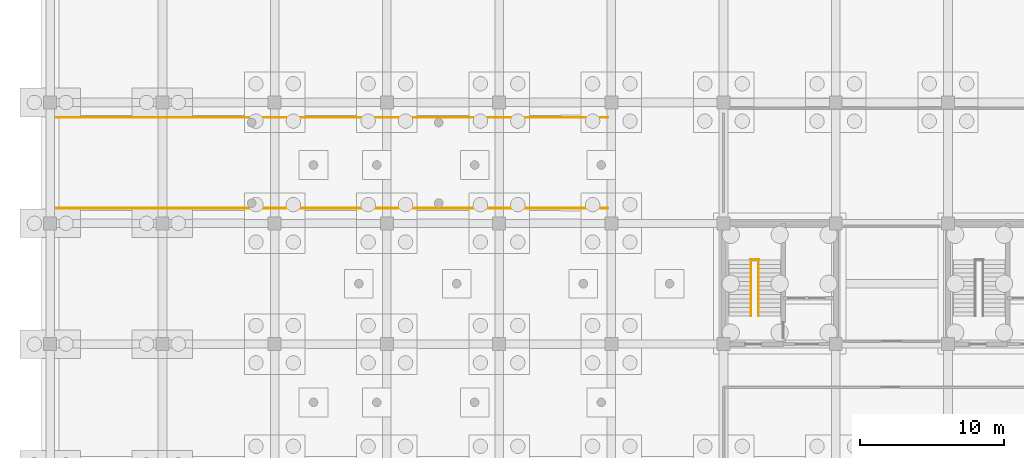
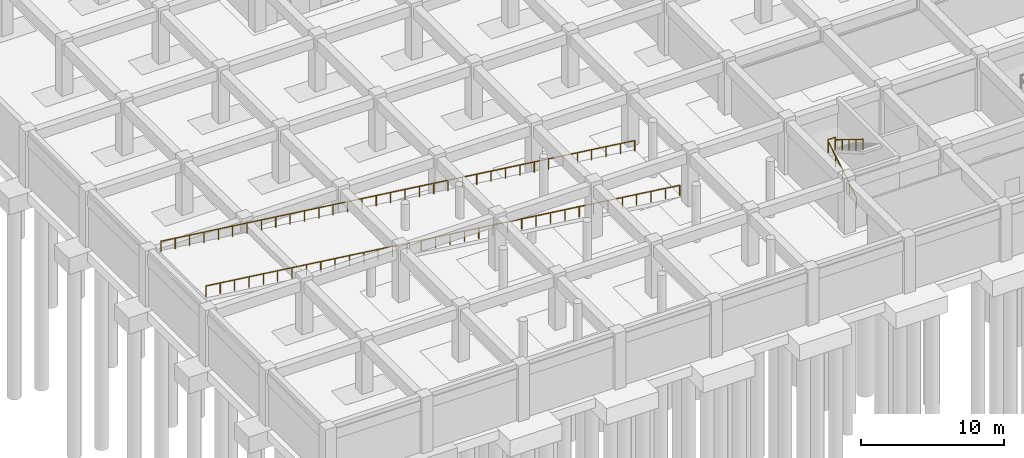
# One storey, part 27 of 31: 5 railings.
"""IFC4 building model written with IfcOpenShell, lengths in metres."""

import ifcopenshell
import ifcopenshell.guid

model = None  # the IFC model being written
_history = None  # IfcOwnerHistory: only IFC2X3 demands one
_inside = {}  # id of a spatial element -> (the spatial element, [elements in it])
_under = {}  # id of a project, library or spatial element -> (it, [spatial elements below it])
_declared = {}  # id of a project -> (the project, [libraries it declares])
_typed = {}  # id of a type object -> (the type object, [elements of that type])
_made_of = {}  # id of a material, layer set ... -> (it, [elements and type objects made of it])


def new_model(schema):
    """Start an empty IFC model of exactly this schema.

    Asked for "IFC4X3", IfcOpenShell would pick the latest addendum, in which some entities
    have other attributes; the version numbers below select the first issue.
    IFC2X3 requires an IfcOwnerHistory on every rooted entity: one is made here for all.
    """
    global model, _history
    if schema == "IFC4X3":
        model = ifcopenshell.file(schema_version=(4, 3, 0, 0))
    else:
        model = ifcopenshell.file(schema=schema)
    _inside.clear()
    _under.clear()
    _declared.clear()
    _typed.clear()
    _made_of.clear()
    _history = None
    if model.schema == "IFC2X3":
        org = make("IfcOrganization", Name="unknown")
        user = make(
            "IfcPersonAndOrganization",
            ThePerson=make("IfcPerson", FamilyName="unknown"),
            TheOrganization=org,
        )
        app = make(
            "IfcApplication",
            ApplicationDeveloper=org,
            Version="unknown",
            ApplicationFullName="unknown",
            ApplicationIdentifier="unknown",
        )
        _history = make(
            "IfcOwnerHistory",
            OwningUser=user,
            OwningApplication=app,
            ChangeAction="ADDED",
            CreationDate=0,
        )
    return model


def make(cls, **values):
    """One entity of the class cls with the attributes given. An attribute that is None is left unset."""
    return model.create_entity(
        cls, **{name: value for name, value in values.items() if value is not None}
    )


def rooted(cls, **values):
    """An entity with a GlobalId (a new one), such as an element, a storey or a relation."""
    return make(cls, GlobalId=ifcopenshell.guid.new(), OwnerHistory=_history, **values)


def si_unit(unit_type, name, prefix=None):
    """IfcSIUnit, for example si_unit("LENGTHUNIT", "METRE", prefix="MILLI")."""
    return make("IfcSIUnit", UnitType=unit_type, Prefix=prefix, Name=name)


def assignment(units):
    """IfcUnitAssignment: the units of a project."""
    return None if units is None else make("IfcUnitAssignment", Units=units)


def point(xyz):
    """IfcCartesianPoint."""
    return None if xyz is None else make("IfcCartesianPoint", Coordinates=xyz)


def direction(xyz):
    """IfcDirection."""
    return None if xyz is None else make("IfcDirection", DirectionRatios=xyz)


def frame(location, z_axis=None, x_axis=None):
    """IfcAxis2Placement3D, a coordinate frame: its origin and axes. An axis left out is left unset."""
    return make(
        "IfcAxis2Placement3D",
        Location=point(location),
        Axis=direction(z_axis),
        RefDirection=direction(x_axis),
    )


def frame_2d(location, x_axis=None):
    """IfcAxis2Placement2D, a coordinate frame in the plane: its origin and x axis."""
    return make(
        "IfcAxis2Placement2D", Location=point(location), RefDirection=direction(x_axis)
    )


def origin():
    """The frame at (0, 0, 0) with its axes left unset."""
    return frame((0.0, 0.0, 0.0))


def origin_2d():
    """The frame at (0, 0) in the plane with its x axis left unset."""
    return frame_2d((0.0, 0.0))


def place(relative_to, where):
    """IfcLocalPlacement: puts the frame where relative to a parent placement (None: the world)."""
    return make(
        "IfcLocalPlacement", PlacementRelTo=relative_to, RelativePlacement=where
    )


def context(
    kind, dimensions, precision=None, world=None, true_north=None, identifier=None
):
    """IfcGeometricRepresentationContext, for example the 3D "Model" context."""
    return make(
        "IfcGeometricRepresentationContext",
        ContextIdentifier=identifier,
        ContextType=kind,
        CoordinateSpaceDimension=dimensions,
        Precision=precision,
        WorldCoordinateSystem=world,
        TrueNorth=true_north,
    )


def subcontext(parent, identifier, kind, view, scale=None):
    """IfcGeometricRepresentationSubContext, for example "Body" below "Model"."""
    return make(
        "IfcGeometricRepresentationSubContext",
        ContextIdentifier=identifier,
        ContextType=kind,
        ParentContext=parent,
        TargetScale=scale,
        TargetView=view,
    )


def project(units=None, contexts=None):
    """IfcProject with its units and contexts."""
    return rooted(
        "IfcProject",
        Name="project",
        RepresentationContexts=contexts,
        UnitsInContext=assignment(units),
    )


def spatial(cls, under=None, at=None, **own):
    """A site, building, storey or space (cls), placed at a placement, below another one or the project."""
    s = rooted(cls, ObjectPlacement=at, **own)
    if under is not None:
        _under.setdefault(under.id(), (under, []))[1].append(s)
    return s


def profile(cls, at=None, kind="AREA", **sizes):
    """A parametric profile (cls). Its sizes go by their IFC names, for example OverallWidth=200.0."""
    return make(cls, ProfileType=kind, Position=at, **sizes)


def circle(**sizes):
    """IfcCircleProfileDef."""
    return profile("IfcCircleProfileDef", **sizes)


def hollow_circle(**sizes):
    """IfcCircleHollowProfileDef."""
    return profile("IfcCircleHollowProfileDef", **sizes)


def extrude(swept, where, along, depth):
    """IfcExtrudedAreaSolid: the profile swept, set in the frame where, extruded along a direction by depth."""
    return make(
        "IfcExtrudedAreaSolid",
        SweptArea=swept,
        Position=where,
        ExtrudedDirection=direction(along),
        Depth=depth,
    )


def shape(context_of_items, identifier, shape_type, items):
    """IfcShapeRepresentation: the items that make up one representation, for example the "Body"."""
    return make(
        "IfcShapeRepresentation",
        ContextOfItems=context_of_items,
        RepresentationIdentifier=identifier,
        RepresentationType=shape_type,
        Items=items,
    )


def material(Name=None, Category=None):
    """IfcMaterial."""
    return make("IfcMaterial", Name=Name, Category=Category)


def material_profile(
    of_material, cross_section, Name=None, Category=None, Priority=None
):
    """IfcMaterialProfile: a cross section and its material."""
    return make(
        "IfcMaterialProfile",
        Name=Name,
        Material=of_material,
        Profile=cross_section,
        Priority=Priority,
        Category=Category,
    )


def profile_set(profiles, Name=None, composite=None):
    """IfcMaterialProfileSet."""
    return make(
        "IfcMaterialProfileSet",
        Name=Name,
        MaterialProfiles=profiles,
        CompositeProfile=composite,
    )


def made_of(thing, what):
    """Note that an element or type object is made of a material, layer set ...; save() writes the relation."""
    if what is not None:
        _made_of.setdefault(what.id(), (what, []))[1].append(thing)
    return thing


def type_object(cls, material=None, **own):
    """A type object (cls), such as IfcWallType, which elements share."""
    return made_of(rooted(cls, **own), material)


def element(
    cls,
    number,
    at=None,
    inside=None,
    cuts=None,
    type_object=None,
    material=None,
    context=None,
    identifier="Body",
    shape_type=None,
    held_by="IfcProductDefinitionShape",
    body=None,
    shapes=None,
    **own,
):
    """One element of the class cls, such as IfcWall. Its Tag is "e" and its number.

    at: its placement. inside: the storey or other place that contains it. cuts: it is an
    opening in that element (IfcRelVoidsElement). A single representation is given by context,
    identifier, shape_type and body (its items); several are given by shapes. held_by: the class
    of the entity that holds the representations. save() writes the other relations.
    """
    e = rooted(cls, Tag="e%d" % number, ObjectPlacement=at, **own)
    if body is not None:
        shapes = [shape(context, identifier, shape_type, body)]
    if shapes is not None:
        e.Representation = make(held_by, Representations=shapes)
    if inside is not None:
        _inside.setdefault(inside.id(), (inside, []))[1].append(e)
    if cuts is not None:
        rooted(
            "IfcRelVoidsElement", RelatingBuildingElement=cuts, RelatedOpeningElement=e
        )
    if type_object is not None:
        _typed.setdefault(type_object.id(), (type_object, []))[1].append(e)
    return made_of(e, material)


def aggregate(whole, parts):
    """IfcRelAggregates: a whole, such as a stair, and the parts it consists of."""
    return rooted("IfcRelAggregates", RelatingObject=whole, RelatedObjects=parts)


def save(model, path):
    """Write the relations noted so far, then the file.

    IfcRelAggregates (storeys below a building ...), IfcRelContainedInSpatialStructure (elements
    in a storey), IfcRelDefinesByType, IfcRelAssociatesMaterial and IfcRelDeclares: one each for
    every whole, place, type object, material and project.
    """
    for whole, parts in _under.values():
        aggregate(whole, parts)
    for where, things in _inside.values():
        rooted(
            "IfcRelContainedInSpatialStructure",
            RelatedElements=things,
            RelatingStructure=where,
        )
    for kind, things in _typed.values():
        rooted("IfcRelDefinesByType", RelatedObjects=things, RelatingType=kind)
    for what, things in _made_of.values():
        rooted("IfcRelAssociatesMaterial", RelatedObjects=things, RelatingMaterial=what)
    for by, libraries in _declared.values():
        rooted("IfcRelDeclares", RelatingContext=by, RelatedDefinitions=libraries)
    model.write(path)


model = new_model("IFC4")

# Units and contexts
model_context = context("Model", 3, precision=1e-05, world=origin(), true_north=direction((0.0, 1.0)))
body_context = subcontext(model_context, "Body", "Model", "MODEL_VIEW")
ifc_project = project(units=[si_unit("LENGTHUNIT", "METRE"), si_unit("AREAUNIT", "SQUARE_METRE"), si_unit("VOLUMEUNIT", "CUBIC_METRE"), si_unit("PLANEANGLEUNIT", "RADIAN"), si_unit("MASSUNIT", "GRAM", prefix="KILO")], contexts=[model_context])

# Site, building, storey
site_placement = place(None, origin())
site = spatial("IfcSite", under=ifc_project, at=site_placement, CompositionType="ELEMENT")
building_placement = place(site_placement, origin())
building = spatial("IfcBuilding", under=site, at=building_placement, Name="Zizhar Promenade General Hospital", CompositionType="ELEMENT")
storey_placement = place(building_placement, frame((0.0, 0.0, -4.800048828125)))
storey = spatial("IfcBuildingStorey", under=building, at=storey_placement, Name="B1", CompositionType="ELEMENT", Elevation=-4.800048828125)

# Railings
ifc_material_1 = material(Name="Anodised aluminium 6063-T6", Category="aluminium")
ifc_material_profile_1 = material_profile(ifc_material_1, hollow_circle(Radius=0.06982421875, WallThickness=0.00634765625, at=origin_2d()))
ifc_profile_set_1 = profile_set([ifc_material_profile_1], Name="Anodised aluminium 6063-T6")
railing_type_1 = type_object("IfcRailingType", Name="RL-HANDRAIL-920", PredefinedType="HANDRAIL", material=ifc_profile_set_1)
railing_1_placement = place(storey_placement, frame((48.699951171875, 10.35009765625, 0.0)))
element("IfcRailing", 1, at=railing_1_placement, inside=storey, type_object=railing_type_1, Name="Stair ST-02 Flight 1 Handrail (B1)", PredefinedType="HANDRAIL", context=body_context, shape_type="SweptSolid", body=[
    extrude(circle(Radius=0.02392578125, at=origin_2d()), frame((0.0, 0.0, 0.89599609375), z_axis=(0.0, 0.851638180308, 0.5241301459), x_axis=(-1.0, 0.0, 0.0)), (0.0, 0.0, 1.0), 4.579345703125),
    extrude(circle(Radius=0.02099609375, at=origin_2d()), origin(), (0.0, 0.0, 1.0), 0.871826171875),
    extrude(circle(Radius=0.02099609375, at=origin_2d()), frame((0.0, 0.97509765625, 0.60009765625)), (0.0, 0.0, 1.0), 0.871826171875),
    extrude(circle(Radius=0.02099609375, at=origin_2d()), frame((0.0, 1.949951171875, 1.2001953125)), (0.0, 0.0, 1.0), 0.871826171875),
    extrude(circle(Radius=0.02099609375, at=origin_2d()), frame((0.0, 2.9248046875, 1.800048828125)), (0.0, 0.0, 1.0), 0.871826171875),
    extrude(circle(Radius=0.02099609375, at=origin_2d()), frame((0.0, 3.89990234375, 2.400146484375)), (0.0, 0.0, 1.0), 0.871826171875),
])
railing_2_placement = place(storey_placement, frame((49.239990234375, 14.25, 2.400146484375)))
element("IfcRailing", 2, at=railing_2_placement, inside=storey, type_object=railing_type_1, Name="Stair ST-02 Flight 2 Handrail (B1)", PredefinedType="HANDRAIL", context=body_context, shape_type="SweptSolid", body=[
    extrude(circle(Radius=0.02392578125, at=origin_2d()), frame((0.0, 0.0, 0.89599609375), z_axis=(0.0, -0.851661977835, 0.524091476281), x_axis=(1.0, 0.0, 0.0)), (0.0, 0.0, 1.0), 4.5791015625),
    extrude(circle(Radius=0.02099609375, at=origin_2d()), origin(), (0.0, 0.0, 1.0), 0.871826171875),
    extrude(circle(Radius=0.02099609375, at=origin_2d()), frame((0.0, -0.97509765625, 0.60009765625)), (0.0, 0.0, 1.0), 0.871826171875),
    extrude(circle(Radius=0.02099609375, at=origin_2d()), frame((0.0, -1.949951171875, 1.199951171875)), (0.0, 0.0, 1.0), 0.871826171875),
    extrude(circle(Radius=0.02099609375, at=origin_2d()), frame((0.0, -2.9248046875, 1.7998046875)), (0.0, 0.0, 1.0), 0.871826171875),
    extrude(circle(Radius=0.02099609375, at=origin_2d()), frame((0.0, -3.89990234375, 2.39990234375)), (0.0, 0.0, 1.0), 0.871826171875),
])
railing_3_placement = place(storey_placement, frame((0.449951171875, 17.85009765625, 4.800048828125)))
element("IfcRailing", 3, at=railing_3_placement, inside=storey, type_object=railing_type_1, Name="Vehicle Ramp Safety Rail S", PredefinedType="HANDRAIL", context=body_context, shape_type="SweptSolid", body=[
    extrude(circle(Radius=0.02392578125, at=origin_2d()), frame((0.0, 0.0, 0.89599609375), z_axis=(0.992237832042, 0.0, -0.12435467287), x_axis=(0.0, 1.0, 0.0)), (0.0, 0.0, 1.0), 38.599609375),
    extrude(circle(Radius=0.02099609375, at=origin_2d()), origin(), (0.0, 0.0, 1.0), 0.871826171875),
    extrude(circle(Radius=0.02099609375, at=origin_2d()), frame((1.16064453125, 0.0, -0.1455078125)), (0.0, 0.0, 1.0), 0.871826171875),
    extrude(circle(Radius=0.02099609375, at=origin_2d()), frame((2.3212890625, 0.0, -0.291015625)), (0.0, 0.0, 1.0), 0.871826171875),
    extrude(circle(Radius=0.02099609375, at=origin_2d()), frame((3.48193359375, 0.0, -0.436279296875)), (0.0, 0.0, 1.0), 0.871826171875),
    extrude(circle(Radius=0.02099609375, at=origin_2d()), frame((4.642333984375, 0.0, -0.581787109375)), (0.0, 0.0, 1.0), 0.871826171875),
    extrude(circle(Radius=0.02099609375, at=origin_2d()), frame((5.802978515625, 0.0, -0.727294921875)), (0.0, 0.0, 1.0), 0.871826171875),
    extrude(circle(Radius=0.02099609375, at=origin_2d()), frame((6.963623046875, 0.0, -0.872802734375)), (0.0, 0.0, 1.0), 0.871826171875),
    extrude(circle(Radius=0.02099609375, at=origin_2d()), frame((8.124267578125, 0.0, -1.018310546875)), (0.0, 0.0, 1.0), 0.871826171875),
    extrude(circle(Radius=0.02099609375, at=origin_2d()), frame((9.284912109375, 0.0, -1.16357421875)), (0.0, 0.0, 1.0), 0.871826171875),
    extrude(circle(Radius=0.02099609375, at=origin_2d()), frame((10.445556640625, 0.0, -1.30908203125)), (0.0, 0.0, 1.0), 0.871826171875),
    extrude(circle(Radius=0.02099609375, at=origin_2d()), frame((11.60595703125, 0.0, -1.45458984375)), (0.0, 0.0, 1.0), 0.871826171875),
    extrude(circle(Radius=0.02099609375, at=origin_2d()), frame((12.7666015625, 0.0, -1.60009765625)), (0.0, 0.0, 1.0), 0.871826171875),
    extrude(circle(Radius=0.02099609375, at=origin_2d()), frame((13.92724609375, 0.0, -1.745361328125)), (0.0, 0.0, 1.0), 0.871826171875),
    extrude(circle(Radius=0.02099609375, at=origin_2d()), frame((15.087890625, 0.0, -1.890869140625)), (0.0, 0.0, 1.0), 0.871826171875),
    extrude(circle(Radius=0.02099609375, at=origin_2d()), frame((16.24853515625, 0.0, -2.036376953125)), (0.0, 0.0, 1.0), 0.871826171875),
    extrude(circle(Radius=0.02099609375, at=origin_2d()), frame((17.4091796875, 0.0, -2.181884765625)), (0.0, 0.0, 1.0), 0.871826171875),
    extrude(circle(Radius=0.02099609375, at=origin_2d()), frame((18.56982421875, 0.0, -2.327392578125)), (0.0, 0.0, 1.0), 0.871826171875),
    extrude(circle(Radius=0.02099609375, at=origin_2d()), frame((19.730224609375, 0.0, -2.47265625)), (0.0, 0.0, 1.0), 0.871826171875),
    extrude(circle(Radius=0.02099609375, at=origin_2d()), frame((20.890869140625, 0.0, -2.6181640625)), (0.0, 0.0, 1.0), 0.871826171875),
    extrude(circle(Radius=0.02099609375, at=origin_2d()), frame((22.051513671875, 0.0, -2.763671875)), (0.0, 0.0, 1.0), 0.871826171875),
    extrude(circle(Radius=0.02099609375, at=origin_2d()), frame((23.212158203125, 0.0, -2.9091796875)), (0.0, 0.0, 1.0), 0.871826171875),
    extrude(circle(Radius=0.02099609375, at=origin_2d()), frame((24.372802734375, 0.0, -3.0546875)), (0.0, 0.0, 1.0), 0.871826171875),
    extrude(circle(Radius=0.02099609375, at=origin_2d()), frame((25.533447265625, 0.0, -3.199951171875)), (0.0, 0.0, 1.0), 0.871826171875),
    extrude(circle(Radius=0.02099609375, at=origin_2d()), frame((26.694091796875, 0.0, -3.345458984375)), (0.0, 0.0, 1.0), 0.871826171875),
    extrude(circle(Radius=0.02099609375, at=origin_2d()), frame((27.8544921875, 0.0, -3.490966796875)), (0.0, 0.0, 1.0), 0.871826171875),
    extrude(circle(Radius=0.02099609375, at=origin_2d()), frame((29.01513671875, 0.0, -3.636474609375)), (0.0, 0.0, 1.0), 0.871826171875),
    extrude(circle(Radius=0.02099609375, at=origin_2d()), frame((30.17578125, 0.0, -3.78173828125)), (0.0, 0.0, 1.0), 0.871826171875),
    extrude(circle(Radius=0.02099609375, at=origin_2d()), frame((31.33642578125, 0.0, -3.92724609375)), (0.0, 0.0, 1.0), 0.871826171875),
    extrude(circle(Radius=0.02099609375, at=origin_2d()), frame((32.4970703125, 0.0, -4.07275390625)), (0.0, 0.0, 1.0), 0.871826171875),
    extrude(circle(Radius=0.02099609375, at=origin_2d()), frame((33.65771484375, 0.0, -4.21826171875)), (0.0, 0.0, 1.0), 0.871826171875),
    extrude(circle(Radius=0.02099609375, at=origin_2d()), frame((34.818115234375, 0.0, -4.36376953125)), (0.0, 0.0, 1.0), 0.871826171875),
    extrude(circle(Radius=0.02099609375, at=origin_2d()), frame((35.978759765625, 0.0, -4.509033203125)), (0.0, 0.0, 1.0), 0.871826171875),
    extrude(circle(Radius=0.02099609375, at=origin_2d()), frame((37.139404296875, 0.0, -4.654541015625)), (0.0, 0.0, 1.0), 0.871826171875),
    extrude(circle(Radius=0.02099609375, at=origin_2d()), frame((38.300048828125, 0.0, -4.800048828125)), (0.0, 0.0, 1.0), 0.871826171875),
])
railing_4_placement = place(storey_placement, frame((0.449951171875, 24.14990234375, 4.800048828125)))
element("IfcRailing", 4, at=railing_4_placement, inside=storey, type_object=railing_type_1, Name="Vehicle Ramp Safety Rail N", PredefinedType="HANDRAIL", context=body_context, shape_type="SweptSolid", body=[
    extrude(circle(Radius=0.02392578125, at=origin_2d()), frame((0.0, 0.0, 0.89599609375), z_axis=(0.992237832042, 0.0, -0.12435467287), x_axis=(0.0, 1.0, 0.0)), (0.0, 0.0, 1.0), 38.599609375),
    extrude(circle(Radius=0.02099609375, at=origin_2d()), origin(), (0.0, 0.0, 1.0), 0.871826171875),
    extrude(circle(Radius=0.02099609375, at=origin_2d()), frame((1.16064453125, 0.0, -0.1455078125)), (0.0, 0.0, 1.0), 0.871826171875),
    extrude(circle(Radius=0.02099609375, at=origin_2d()), frame((2.3212890625, 0.0, -0.291015625)), (0.0, 0.0, 1.0), 0.871826171875),
    extrude(circle(Radius=0.02099609375, at=origin_2d()), frame((3.48193359375, 0.0, -0.436279296875)), (0.0, 0.0, 1.0), 0.871826171875),
    extrude(circle(Radius=0.02099609375, at=origin_2d()), frame((4.642333984375, 0.0, -0.581787109375)), (0.0, 0.0, 1.0), 0.871826171875),
    extrude(circle(Radius=0.02099609375, at=origin_2d()), frame((5.802978515625, 0.0, -0.727294921875)), (0.0, 0.0, 1.0), 0.871826171875),
    extrude(circle(Radius=0.02099609375, at=origin_2d()), frame((6.963623046875, 0.0, -0.872802734375)), (0.0, 0.0, 1.0), 0.871826171875),
    extrude(circle(Radius=0.02099609375, at=origin_2d()), frame((8.124267578125, 0.0, -1.018310546875)), (0.0, 0.0, 1.0), 0.871826171875),
    extrude(circle(Radius=0.02099609375, at=origin_2d()), frame((9.284912109375, 0.0, -1.16357421875)), (0.0, 0.0, 1.0), 0.871826171875),
    extrude(circle(Radius=0.02099609375, at=origin_2d()), frame((10.445556640625, 0.0, -1.30908203125)), (0.0, 0.0, 1.0), 0.871826171875),
    extrude(circle(Radius=0.02099609375, at=origin_2d()), frame((11.60595703125, 0.0, -1.45458984375)), (0.0, 0.0, 1.0), 0.871826171875),
    extrude(circle(Radius=0.02099609375, at=origin_2d()), frame((12.7666015625, 0.0, -1.60009765625)), (0.0, 0.0, 1.0), 0.871826171875),
    extrude(circle(Radius=0.02099609375, at=origin_2d()), frame((13.92724609375, 0.0, -1.745361328125)), (0.0, 0.0, 1.0), 0.871826171875),
    extrude(circle(Radius=0.02099609375, at=origin_2d()), frame((15.087890625, 0.0, -1.890869140625)), (0.0, 0.0, 1.0), 0.871826171875),
    extrude(circle(Radius=0.02099609375, at=origin_2d()), frame((16.24853515625, 0.0, -2.036376953125)), (0.0, 0.0, 1.0), 0.871826171875),
    extrude(circle(Radius=0.02099609375, at=origin_2d()), frame((17.4091796875, 0.0, -2.181884765625)), (0.0, 0.0, 1.0), 0.871826171875),
    extrude(circle(Radius=0.02099609375, at=origin_2d()), frame((18.56982421875, 0.0, -2.327392578125)), (0.0, 0.0, 1.0), 0.871826171875),
    extrude(circle(Radius=0.02099609375, at=origin_2d()), frame((19.730224609375, 0.0, -2.47265625)), (0.0, 0.0, 1.0), 0.871826171875),
    extrude(circle(Radius=0.02099609375, at=origin_2d()), frame((20.890869140625, 0.0, -2.6181640625)), (0.0, 0.0, 1.0), 0.871826171875),
    extrude(circle(Radius=0.02099609375, at=origin_2d()), frame((22.051513671875, 0.0, -2.763671875)), (0.0, 0.0, 1.0), 0.871826171875),
    extrude(circle(Radius=0.02099609375, at=origin_2d()), frame((23.212158203125, 0.0, -2.9091796875)), (0.0, 0.0, 1.0), 0.871826171875),
    extrude(circle(Radius=0.02099609375, at=origin_2d()), frame((24.372802734375, 0.0, -3.0546875)), (0.0, 0.0, 1.0), 0.871826171875),
    extrude(circle(Radius=0.02099609375, at=origin_2d()), frame((25.533447265625, 0.0, -3.199951171875)), (0.0, 0.0, 1.0), 0.871826171875),
    extrude(circle(Radius=0.02099609375, at=origin_2d()), frame((26.694091796875, 0.0, -3.345458984375)), (0.0, 0.0, 1.0), 0.871826171875),
    extrude(circle(Radius=0.02099609375, at=origin_2d()), frame((27.8544921875, 0.0, -3.490966796875)), (0.0, 0.0, 1.0), 0.871826171875),
    extrude(circle(Radius=0.02099609375, at=origin_2d()), frame((29.01513671875, 0.0, -3.636474609375)), (0.0, 0.0, 1.0), 0.871826171875),
    extrude(circle(Radius=0.02099609375, at=origin_2d()), frame((30.17578125, 0.0, -3.78173828125)), (0.0, 0.0, 1.0), 0.871826171875),
    extrude(circle(Radius=0.02099609375, at=origin_2d()), frame((31.33642578125, 0.0, -3.92724609375)), (0.0, 0.0, 1.0), 0.871826171875),
    extrude(circle(Radius=0.02099609375, at=origin_2d()), frame((32.4970703125, 0.0, -4.07275390625)), (0.0, 0.0, 1.0), 0.871826171875),
    extrude(circle(Radius=0.02099609375, at=origin_2d()), frame((33.65771484375, 0.0, -4.21826171875)), (0.0, 0.0, 1.0), 0.871826171875),
    extrude(circle(Radius=0.02099609375, at=origin_2d()), frame((34.818115234375, 0.0, -4.36376953125)), (0.0, 0.0, 1.0), 0.871826171875),
    extrude(circle(Radius=0.02099609375, at=origin_2d()), frame((35.978759765625, 0.0, -4.509033203125)), (0.0, 0.0, 1.0), 0.871826171875),
    extrude(circle(Radius=0.02099609375, at=origin_2d()), frame((37.139404296875, 0.0, -4.654541015625)), (0.0, 0.0, 1.0), 0.871826171875),
    extrude(circle(Radius=0.02099609375, at=origin_2d()), frame((38.300048828125, 0.0, -4.800048828125)), (0.0, 0.0, 1.0), 0.871826171875),
])
ifc_material_2 = material(Name="Steel S355", Category="steel")
ifc_material_profile_2 = material_profile(ifc_material_2, hollow_circle(Radius=0.06982421875, WallThickness=0.00634765625, at=origin_2d()))
ifc_profile_set_2 = profile_set([ifc_material_profile_2], Name="Steel S355")
railing_type_2 = type_object("IfcRailingType", Name="RL-STAIR-GUARD-1100", PredefinedType="GUARDRAIL", material=ifc_profile_set_2)
railing_5_placement = place(storey_placement, frame((48.679931640625, 14.2900390625, 2.400146484375)))
element("IfcRailing", 5, at=railing_5_placement, inside=storey, type_object=railing_type_2, Name="Stair ST-02 Half-Landing Guard (B1)", PredefinedType="GUARDRAIL", context=body_context, shape_type="SweptSolid", body=[
    extrude(circle(Radius=0.02392578125, at=origin_2d()), frame((0.0, 0.0, 1.076171875), z_axis=(1.0, 0.0, 0.0), x_axis=(0.0, 1.0, 0.0)), (0.0, 0.0, 1.0), 0.580078125),
    extrude(circle(Radius=0.02099609375, at=origin_2d()), origin(), (0.0, 0.0, 1.0), 1.052001953125),
    extrude(circle(Radius=0.02099609375, at=origin_2d()), frame((0.580078125, 0.0, 0.0)), (0.0, 0.0, 1.0), 1.052001953125),
])

save(model, "model.ifc")
